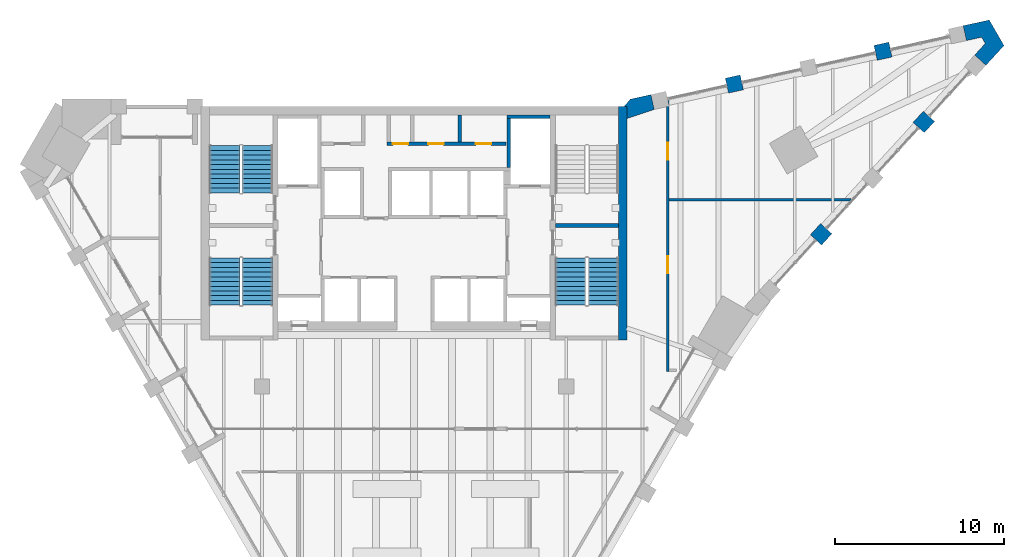
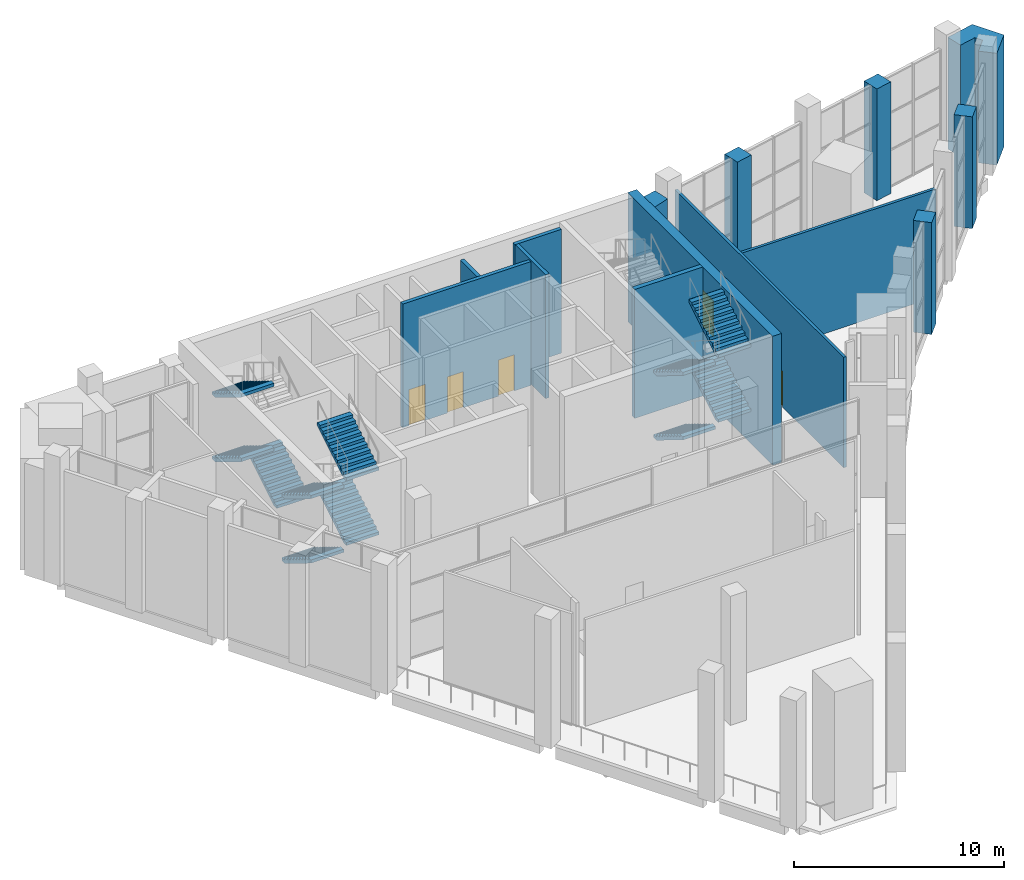
# One storey, part 11 of 14: 14 walls, 11 stair flights, 5 doors, 5 openings, 3 elements without a shape of their own.
"""IFC4 building model written with IfcOpenShell, lengths in metres."""

from ifc_helpers import new_model, si_unit, direction, frame, frame_2d, origin, place, context, subcontext, project, spatial, polyline, rectangle, outline, extrude, faceted_brep, source, transform, mapped, material, layer, layer_set, type_object, element, fill, aggregate, save


model = new_model("IFC4")

# Units and contexts
model_context = context("Model", 3, precision=1e-05, world=origin(), true_north=direction((0.0, 1.0)))
body_context = subcontext(model_context, "Body", "Model", "MODEL_VIEW")
ifc_project = project(units=[si_unit("LENGTHUNIT", "METRE"), si_unit("AREAUNIT", "SQUARE_METRE"), si_unit("VOLUMEUNIT", "CUBIC_METRE"), si_unit("PLANEANGLEUNIT", "RADIAN"), si_unit("MASSUNIT", "GRAM", prefix="KILO")], contexts=[model_context])

# Site, building, storey
site_placement = place(None, origin())
site = spatial("IfcSite", under=ifc_project, at=site_placement, CompositionType="ELEMENT")
building_placement = place(site_placement, origin())
building = spatial("IfcBuilding", under=site, at=building_placement, Name="Calabash Gate Tower", CompositionType="ELEMENT")
storey_placement = place(building_placement, frame((0.0, 0.0, 295.0)))
storey = spatial("IfcBuildingStorey", under=building, at=storey_placement, Name="L71", CompositionType="ELEMENT", Elevation=295.0)

# Walls
ifc_material_1 = material(Name="Terracotta brick masonry, exposed face", Category="masonry")
ifc_layer_1 = layer(ifc_material_1, 0.89990234375)
ifc_layer_set_1 = layer_set([ifc_layer_1], Name="Brick end wall 900")
wall_type_1 = type_object("IfcWallType", Name="Brick end wall 900", PredefinedType="SOLIDWALL", material=ifc_layer_set_1)
wall_1_placement = place(storey_placement, frame((23.763671875, 11.17333984375, 0.0), z_axis=(0.0, 0.0, 1.0), x_axis=(0.674802966049, 0.737997938352, 0.0)))
element("IfcWall", 1, at=wall_1_placement, inside=storey, type_object=wall_type_1, Name="Brick pier L71 wedge3.1", PredefinedType="SOLIDWALL", context=body_context, shape_type="SweptSolid", body=[
    extrude(rectangle(XDim=0.900146484375, YDim=0.89990234375, at=frame_2d((0.4501953125, 0.0))), origin(), (0.0, 0.0, 1.0), 6.5),
])
wall_2_placement = place(storey_placement, frame((30.44482421875, 18.47900390625, 0.0), z_axis=(0.0, 0.0, 1.0), x_axis=(-0.674938051731, -0.737874397391, 0.0)))
element("IfcWall", 2, at=wall_2_placement, inside=storey, type_object=wall_type_1, Name="Brick pier L71 wedge3.3", PredefinedType="SOLIDWALL", context=body_context, shape_type="SweptSolid", body=[
    extrude(rectangle(XDim=0.89990234375, YDim=0.89990234375, at=frame_2d((0.449951171875, 0.0))), origin(), (0.0, 0.0, 1.0), 6.5),
])
for number, where, z_axis, x_axis, name in (
    (3, (28.16650390625, 22.42529296875, 0.0), (0.0, 0.0, 1.0), (-0.976473402733, -0.215637876437, 0.0), "Brick pier L71 wedge5.1"),
    (4, (18.4990234375, 20.2919921875, 0.0), (0.0, 0.0, 1.0), (0.976473402733, 0.215637876437, 0.0), "Brick pier L71 wedge5.3"),
):
    element("IfcWall", number, at=place(storey_placement, frame(where, z_axis=z_axis, x_axis=x_axis)), inside=storey, type_object=wall_type_1, Name=name, PredefinedType="SOLIDWALL", context=body_context, shape_type="SweptSolid", body=[
        extrude(rectangle(XDim=0.900146484375, YDim=0.89990234375, at=frame_2d((0.4501953125, 0.0))), origin(), (0.0, 0.0, 1.0), 6.5),
    ])
wall_3_placement = place(storey_placement, origin())
element("IfcWall", 5, at=wall_3_placement, inside=storey, type_object=wall_type_1, Name="Brick end wall L71 2", PredefinedType="SOLIDWALL", context=body_context, shape_type="SweptSolid", body=[
    extrude(outline(polyline([(33.813720703125, 21.496337890625), (34.881591796875, 22.663818359375), (34.0087890625, 24.175048828125), (32.4638671875, 23.834228515625), (32.65771484375, 22.955322265625), (33.55908203125, 23.154296875), (33.7724609375, 22.78466796875), (33.149658203125, 22.103759765625), (33.813720703125, 21.496337890625)])), origin(), (0.0, 0.0, 1.0), 6.5),
])
wall_4_placement = place(storey_placement, origin())
element("IfcWall", 6, at=wall_4_placement, inside=storey, type_object=wall_type_1, Name="Brick end wall L71 3", PredefinedType="SOLIDWALL", context=body_context, shape_type="SweptSolid", body=[
    extrude(outline(polyline([(14.201416015625, 18.883056640625), (14.0078125, 19.761962890625), (12.784423828125, 19.491943359375), (12.410400390625, 19.052490234375), (12.60009765625, 19.052490234375), (12.60009765625, 18.351806640625), (14.201416015625, 18.883056640625)])), origin(), (0.0, 0.0, 1.0), 6.5),
])
ifc_material_2 = material(Name="Gypsum board on steel studs, mineral wool", Category="steel")
ifc_layer_2 = layer(ifc_material_2, 0.199951171875)
ifc_layer_set_2 = layer_set([ifc_layer_2], Name="Core partition 200 gypsum board")
wall_type_2 = type_object("IfcWallType", Name="Core partition 200 gypsum board", PredefinedType="PARTITIONING", material=ifc_layer_set_2)
wall_5_placement = place(storey_placement, frame((2.699951171875, 16.95263671875, 0.0), z_axis=(0.0, 0.0, 1.0), x_axis=(0.0, 1.0, 0.0)))
element("IfcWall", 7, at=wall_5_placement, inside=storey, type_object=wall_type_2, Name="Core partition", PredefinedType="PARTITIONING", context=body_context, shape_type="SweptSolid", body=[
    extrude(rectangle(XDim=1.599853515625, YDim=0.199951171875, at=frame_2d((0.7998046875, 0.0))), origin(), (0.0, 0.0, 1.0), 7.199951171875),
])
ifc_material_3 = material(Name="Concrete C60/75", Category="concrete")
ifc_layer_3 = layer(ifc_material_3, 0.25)
ifc_layer_set_3 = layer_set([ifc_layer_3], Name="Core wall 250 Concrete C60/75")
wall_type_3 = type_object("IfcWallType", Name="Core wall 250 Concrete C60/75", PredefinedType="SHEAR", material=ifc_layer_set_3)
wall_6_placement = place(storey_placement, frame((8.35009765625, 12.027587890625, 0.0), z_axis=(0.0, 0.0, 1.0), x_axis=(1.0, 0.0, 0.0)))
element("IfcWall", 8, at=wall_6_placement, inside=storey, type_object=wall_type_3, Name="Core wall Z5-MIDE L71", PredefinedType="SHEAR", context=body_context, shape_type="SweptSolid", body=[
    extrude(rectangle(XDim=3.75, YDim=0.25, at=frame_2d((1.875, 0.0))), origin(), (0.0, 0.0, 1.0), 7.5),
])
ifc_material_4 = material(Name="Concrete C60/75", Category="concrete")
ifc_layer_4 = layer(ifc_material_4, 0.5)
ifc_layer_set_4 = layer_set([ifc_layer_4], Name="Core wall 500 Concrete C60/75")
wall_type_4 = type_object("IfcWallType", Name="Core wall 500 Concrete C60/75", PredefinedType="SHEAR", material=ifc_layer_set_4)
wall_7_placement = place(storey_placement, frame((12.35009765625, 5.252685546875, 0.0), z_axis=(0.0, 0.0, 1.0), x_axis=(0.0, 1.0, 0.0)))
element("IfcWall", 9, at=wall_7_placement, inside=storey, type_object=wall_type_4, Name="Core wall Z5-COLE L71", PredefinedType="SHEAR", context=body_context, shape_type="SweptSolid", body=[
    extrude(rectangle(XDim=13.7998046875, YDim=0.5, at=frame_2d((6.89990234375, 0.0))), origin(), (0.0, 0.0, 1.0), 7.5),
])

# Wall, openings, doors
ifc_material_5 = material(Name="Gypsum board on steel studs, mineral wool", Category="steel")
ifc_layer_5 = layer(ifc_material_5, 0.14990234375)
ifc_layer_set_5 = layer_set([ifc_layer_5], Name="Partition 150 gypsum board")
wall_type_5 = type_object("IfcWallType", Name="Partition 150 gypsum board", PredefinedType="PARTITIONING", material=ifc_layer_set_5)
wall_8_placement = place(storey_placement, frame((15.0, 3.377685546875, 0.0), z_axis=(0.0, 0.0, 1.0), x_axis=(0.0, 1.0, 0.0)))
wall_8 = element("IfcWall", 10, at=wall_8_placement, inside=storey, type_object=wall_type_5, Name="Partition", PredefinedType="PARTITIONING", context=body_context, shape_type="SweptSolid", body=[
    extrude(rectangle(XDim=16.084228515625, YDim=0.14990234375, at=frame_2d((8.0419921875, 0.0))), origin(), (0.0, 0.0, 1.0), 6.420166015625),
])
opening_1_placement = place(wall_8_placement, frame((12.54248046875, 0.0, 0.0)))
opening_1 = element("IfcOpeningElement", 11, at=opening_1_placement, cuts=wall_8, Name="Opening L71-018", PredefinedType="OPENING", context=body_context, shape_type="SweptSolid", body=[
    extrude(rectangle(XDim=1.0, YDim=2.10009765625, at=frame_2d((0.5, 1.050048828125))), frame((0.0, 0.0849609375, 0.0), z_axis=(0.0, -1.0, 0.0), x_axis=(1.0, 0.0, 0.0)), (0.0, 0.0, 1.0), 0.169921875),
])
opening_2_placement = place(wall_8_placement, frame((5.8310546875, 0.0, 0.0)))
opening_2 = element("IfcOpeningElement", 12, at=opening_2_placement, cuts=wall_8, Name="Opening L71-019", PredefinedType="OPENING", context=body_context, shape_type="SweptSolid", body=[
    extrude(rectangle(XDim=1.0, YDim=2.10009765625, at=frame_2d((0.5, 1.050048828125))), frame((0.0, 0.0849609375, 0.0), z_axis=(0.0, -1.0, 0.0), x_axis=(1.0, 0.0, 0.0)), (0.0, 0.0, 1.0), 0.169921875),
])
ifc_material_6 = material(Name="Steel fire door set with fire-resisting glazing", Category="steel")
door_type_1 = type_object("IfcDoorType", Name="Fire door D11 1000x2100 FD60", OperationType="NOTDEFINED", PredefinedType="DOOR", material=ifc_material_6)
door_1_placement = place(opening_1_placement, origin())
door_1 = element("IfcDoor", 13, at=door_1_placement, inside=storey, type_object=door_type_1, Name="Restaurant door", OperationType="SINGLE_SWING_LEFT", OverallHeight=2.10009765625, OverallWidth=1.0, PredefinedType="DOOR", context=body_context, shape_type="SweptSolid", body=[
    extrude(rectangle(XDim=1.0, YDim=2.10009765625, at=frame_2d((0.5, 1.050048828125))), frame((0.0, 0.02490234375, 0.0), z_axis=(0.0, -1.0, 0.0), x_axis=(1.0, 0.0, 0.0)), (0.0, 0.0, 1.0), 0.050048828125),
])
fill(opening_1, door_1)
door_2_placement = place(opening_2_placement, origin())
door_2 = element("IfcDoor", 14, at=door_2_placement, inside=storey, type_object=door_type_1, Name="Kitchen door", OperationType="SINGLE_SWING_RIGHT", OverallHeight=2.10009765625, OverallWidth=1.0, PredefinedType="DOOR", context=body_context, shape_type="SweptSolid", body=[
    extrude(rectangle(XDim=1.0, YDim=2.10009765625, at=frame_2d((0.5, 1.050048828125))), frame((0.0, 0.02490234375, 0.0), z_axis=(0.0, -1.0, 0.0), x_axis=(1.0, 0.0, 0.0)), (0.0, 0.0, 1.0), 0.050048828125),
])
fill(opening_2, door_2)

# Walls
wall_9_placement = place(storey_placement, frame((15.074951171875, 13.55859375, 0.0), z_axis=(0.0, 0.0, 1.0), x_axis=(1.0, 0.0, 0.0)))
element("IfcWall", 15, at=wall_9_placement, inside=storey, type_object=wall_type_5, Name="Partition", PredefinedType="PARTITIONING", context=body_context, shape_type="SweptSolid", body=[
    extrude(rectangle(XDim=10.75439453125, YDim=0.14990234375, at=frame_2d((5.377197265625, 0.0))), origin(), (0.0, 0.0, 1.0), 6.278076171875),
])
ifc_material_7 = material(Name="Concrete C40/50", Category="concrete")
ifc_layer_6 = layer(ifc_material_7, 0.199951171875)
ifc_layer_set_6 = layer_set([ifc_layer_6], Name="Shaft wall 200 Concrete C40/50")
wall_type_6 = type_object("IfcWallType", Name="Shaft wall 200 Concrete C40/50", PredefinedType="SOLIDWALL", material=ifc_layer_set_6)
wall_10_placement = place(storey_placement, frame((5.60009765625, 15.45263671875, 0.0), z_axis=(0.0, 0.0, 1.0), x_axis=(0.0, 1.0, 0.0)))
element("IfcWall", 16, at=wall_10_placement, inside=storey, type_object=wall_type_6, Name="Shaft wall", PredefinedType="SOLIDWALL", context=body_context, shape_type="SweptSolid", body=[
    extrude(rectangle(XDim=2.89990234375, YDim=0.199951171875, at=frame_2d((1.449951171875, 0.0))), origin(), (0.0, 0.0, 1.0), 7.199951171875),
])

# Wall, openings, doors
wall_11_placement = place(storey_placement, frame((-1.60009765625, 16.8525390625, 0.0), z_axis=(0.0, 0.0, 1.0), x_axis=(1.0, 0.0, 0.0)))
wall_11 = element("IfcWall", 17, at=wall_11_placement, inside=storey, type_object=wall_type_6, Name="Shaft wall", PredefinedType="SOLIDWALL", context=body_context, shape_type="SweptSolid", body=[
    extrude(rectangle(XDim=7.050048828125, YDim=0.199951171875, at=frame_2d((3.52490234375, 0.0))), origin(), (0.0, 0.0, 1.0), 7.199951171875),
])
opening_3_placement = place(wall_11_placement, frame((0.35009765625, 0.0, 0.0)))
opening_3 = element("IfcOpeningElement", 18, at=opening_3_placement, cuts=wall_11, Name="Opening L71-011", PredefinedType="OPENING", context=body_context, shape_type="SweptSolid", body=[
    extrude(rectangle(XDim=0.89990234375, YDim=2.10009765625, at=frame_2d((0.449951171875, 1.050048828125))), frame((0.0, 0.10986328125, 0.0), z_axis=(0.0, -1.0, 0.0), x_axis=(1.0, 0.0, 0.0)), (0.0, 0.0, 1.0), 0.219970703125),
])
opening_4_placement = place(wall_11_placement, frame((2.449951171875, 0.0, 0.0)))
opening_4 = element("IfcOpeningElement", 19, at=opening_4_placement, cuts=wall_11, Name="Opening L71-012", PredefinedType="OPENING", context=body_context, shape_type="SweptSolid", body=[
    extrude(rectangle(XDim=0.89990234375, YDim=2.10009765625, at=frame_2d((0.449951171875, 1.050048828125))), frame((0.0, 0.10986328125, 0.0), z_axis=(0.0, -1.0, 0.0), x_axis=(1.0, 0.0, 0.0)), (0.0, 0.0, 1.0), 0.219970703125),
])
opening_5_placement = place(wall_11_placement, frame((5.25, 0.0, 0.0)))
opening_5 = element("IfcOpeningElement", 20, at=opening_5_placement, cuts=wall_11, Name="Opening L71-013", PredefinedType="OPENING", context=body_context, shape_type="SweptSolid", body=[
    extrude(rectangle(XDim=0.89990234375, YDim=2.10009765625, at=frame_2d((0.449951171875, 1.050048828125))), frame((0.0, 0.10986328125, 0.0), z_axis=(0.0, -1.0, 0.0), x_axis=(1.0, 0.0, 0.0)), (0.0, 0.0, 1.0), 0.219970703125),
])
ifc_material_8 = material(Name="Steel fire door set with fire-resisting glazing", Category="steel")
door_type_2 = type_object("IfcDoorType", Name="Fire door D06 900x2100 FD60", OperationType="NOTDEFINED", PredefinedType="DOOR", material=ifc_material_8)
door_3_placement = place(opening_3_placement, origin())
door_3 = element("IfcDoor", 21, at=door_3_placement, inside=storey, type_object=door_type_2, Name="Cleaner's Store door", OperationType="SINGLE_SWING_LEFT", OverallHeight=2.10009765625, OverallWidth=0.89990234375, PredefinedType="DOOR", context=body_context, shape_type="SweptSolid", body=[
    extrude(rectangle(XDim=0.89990234375, YDim=2.10009765625, at=frame_2d((0.449951171875, 1.050048828125))), frame((0.0, 0.02490234375, 0.0), z_axis=(0.0, -1.0, 0.0), x_axis=(1.0, 0.0, 0.0)), (0.0, 0.0, 1.0), 0.050048828125),
])
fill(opening_3, door_3)
door_4_placement = place(opening_4_placement, origin())
door_4 = element("IfcDoor", 22, at=door_4_placement, inside=storey, type_object=door_type_2, Name="Comms Room door", OperationType="SINGLE_SWING_LEFT", OverallHeight=2.10009765625, OverallWidth=0.89990234375, PredefinedType="DOOR", context=body_context, shape_type="SweptSolid", body=[
    extrude(rectangle(XDim=0.89990234375, YDim=2.10009765625, at=frame_2d((0.449951171875, 1.050048828125))), frame((0.0, 0.02490234375, 0.0), z_axis=(0.0, -1.0, 0.0), x_axis=(1.0, 0.0, 0.0)), (0.0, 0.0, 1.0), 0.050048828125),
])
fill(opening_4, door_4)
door_5_placement = place(opening_5_placement, origin())
door_5 = element("IfcDoor", 23, at=door_5_placement, inside=storey, type_object=door_type_2, Name="Staff WC door", OperationType="SINGLE_SWING_RIGHT", OverallHeight=2.10009765625, OverallWidth=0.89990234375, PredefinedType="DOOR", context=body_context, shape_type="SweptSolid", body=[
    extrude(rectangle(XDim=0.89990234375, YDim=2.10009765625, at=frame_2d((0.449951171875, 1.050048828125))), frame((0.0, 0.02490234375, 0.0), z_axis=(0.0, -1.0, 0.0), x_axis=(1.0, 0.0, 0.0)), (0.0, 0.0, 1.0), 0.050048828125),
])
fill(opening_5, door_5)

# Wall
wall_12_placement = place(storey_placement, frame((5.5, 18.45263671875, 0.0), z_axis=(0.0, 0.0, 1.0), x_axis=(1.0, 0.0, 0.0)))
element("IfcWall", 24, at=wall_12_placement, inside=storey, type_object=wall_type_6, Name="Shaft wall", PredefinedType="SOLIDWALL", context=body_context, shape_type="SweptSolid", body=[
    extrude(rectangle(XDim=2.550048828125, YDim=0.199951171875, at=frame_2d((1.27490234375, 0.0))), origin(), (0.0, 0.0, 1.0), 7.199951171875),
])

# Stair, stair flights
ifc_material_9 = material(Name="Concrete C40/50", Category="concrete")
stair_type = type_object("IfcStairType", Name="Exit stair 44 risers of 170.5 mm", PredefinedType="HALF_TURN_STAIR", material=ifc_material_9)
stair_1_placement = place(storey_placement, origin())
stair_1 = element("IfcStair", 25, at=stair_1_placement, inside=storey, type_object=stair_type, Name="L71 Exit stair ST1", PredefinedType="HALF_TURN_STAIR")
ifc_material_10 = material(Name="Concrete C40/50", Category="concrete")
stair_flight_type = type_object("IfcStairFlightType", Name="Exit stair flight SFL", PredefinedType="STRAIGHT", material=ifc_material_10)
shared_shape = source(origin(), body_context, "Body", "Brep", [
    faceted_brep([(-0.0009765625, -0.89990234375, 0.0), (0.28759765625, -0.89990234375, 0.0), (2.791015625, -0.89990234375, 1.52880859375), (-0.0009765625, 0.89990234375, 0.0), (2.791015625, 0.89990234375, 1.52880859375), (0.28759765625, 0.89990234375, 0.0), (2.791015625, -0.89990234375, 1.716552734375), (2.7900390625, -0.89990234375, 1.716552734375), (2.7900390625, 0.89990234375, 1.716552734375), (2.791015625, 0.89990234375, 1.716552734375), (2.7900390625, -0.89990234375, 1.70458984375), (2.7900390625, 0.89990234375, 1.70458984375), (2.510986328125, -0.89990234375, 1.70458984375), (2.510986328125, 0.89990234375, 1.70458984375), (2.510986328125, -0.89990234375, 1.5341796875), (2.510986328125, 0.89990234375, 1.5341796875), (2.23193359375, -0.89990234375, 1.5341796875), (2.23193359375, 0.89990234375, 1.5341796875), (2.23193359375, -0.89990234375, 1.363525390625), (2.23193359375, 0.89990234375, 1.363525390625), (1.952880859375, -0.89990234375, 1.363525390625), (1.952880859375, -0.89990234375, 1.193115234375), (1.952880859375, 0.89990234375, 1.193115234375), (1.952880859375, 0.89990234375, 1.363525390625), (1.674072265625, -0.89990234375, 1.193115234375), (1.674072265625, -0.89990234375, 1.022705078125), (1.674072265625, 0.89990234375, 1.022705078125), (1.674072265625, 0.89990234375, 1.193115234375), (1.39501953125, -0.89990234375, 1.022705078125), (1.39501953125, -0.89990234375, 0.852294921875), (1.39501953125, 0.89990234375, 0.852294921875), (1.39501953125, 0.89990234375, 1.022705078125), (1.115966796875, -0.89990234375, 0.852294921875), (1.115966796875, -0.89990234375, 0.681884765625), (1.115966796875, 0.89990234375, 0.681884765625), (1.115966796875, 0.89990234375, 0.852294921875), (0.8369140625, -0.89990234375, 0.681884765625), (0.8369140625, -0.89990234375, 0.511474609375), (0.8369140625, 0.89990234375, 0.511474609375), (0.8369140625, 0.89990234375, 0.681884765625), (0.55810546875, -0.89990234375, 0.511474609375), (0.55810546875, -0.89990234375, 0.3408203125), (0.55810546875, 0.89990234375, 0.3408203125), (0.55810546875, 0.89990234375, 0.511474609375), (0.279052734375, -0.89990234375, 0.3408203125), (0.279052734375, -0.89990234375, 0.17041015625), (0.279052734375, 0.89990234375, 0.17041015625), (0.279052734375, 0.89990234375, 0.3408203125), (-0.0009765625, -0.89990234375, 0.17041015625), (-0.0009765625, 0.89990234375, 0.17041015625), (0.28759765625, -0.360107421875, 0.0), (2.791015625, -0.360107421875, 1.52880859375), (0.28759765625, 0.0, 0.0), (2.791015625, 0.0, 1.52880859375), (0.28759765625, 0.360107421875, 0.0), (2.791015625, 0.360107421875, 1.52880859375), (2.791015625, -0.360107421875, 1.716552734375), (2.791015625, 0.0, 1.716552734375), (2.791015625, 0.360107421875, 1.716552734375), (2.7900390625, -0.360107421875, 1.716552734375), (2.7900390625, 0.0, 1.716552734375), (2.7900390625, 0.360107421875, 1.716552734375), (2.7900390625, -0.360107421875, 1.70458984375), (2.7900390625, 0.0, 1.70458984375), (2.7900390625, 0.360107421875, 1.70458984375), (2.510986328125, -0.360107421875, 1.70458984375), (2.510986328125, 0.0, 1.70458984375), (2.510986328125, 0.360107421875, 1.70458984375), (2.510986328125, -0.360107421875, 1.5341796875), (2.510986328125, 0.0, 1.5341796875), (2.510986328125, 0.360107421875, 1.5341796875), (2.23193359375, -0.360107421875, 1.5341796875), (2.23193359375, 0.0, 1.5341796875), (2.23193359375, 0.360107421875, 1.5341796875), (2.23193359375, -0.360107421875, 1.363525390625), (2.23193359375, 0.0, 1.363525390625), (2.23193359375, 0.360107421875, 1.363525390625), (1.952880859375, -0.360107421875, 1.363525390625), (1.952880859375, 0.0, 1.363525390625), (1.952880859375, 0.360107421875, 1.363525390625), (1.952880859375, -0.360107421875, 1.193115234375), (1.952880859375, 0.0, 1.193115234375), (1.952880859375, 0.360107421875, 1.193115234375), (1.674072265625, -0.360107421875, 1.193115234375), (1.674072265625, 0.0, 1.193115234375), (1.674072265625, 0.360107421875, 1.193115234375), (1.674072265625, -0.360107421875, 1.022705078125), (1.674072265625, 0.0, 1.022705078125), (1.674072265625, 0.360107421875, 1.022705078125), (1.39501953125, -0.360107421875, 1.022705078125), (1.39501953125, 0.0, 1.022705078125), (1.39501953125, 0.360107421875, 1.022705078125), (1.39501953125, -0.360107421875, 0.852294921875), (1.39501953125, 0.0, 0.852294921875), (1.39501953125, 0.360107421875, 0.852294921875), (1.115966796875, -0.360107421875, 0.852294921875), (1.115966796875, 0.0, 0.852294921875), (1.115966796875, 0.360107421875, 0.852294921875), (1.115966796875, -0.360107421875, 0.681884765625), (1.115966796875, 0.0, 0.681884765625), (1.115966796875, 0.360107421875, 0.681884765625), (0.8369140625, -0.360107421875, 0.681884765625), (0.8369140625, 0.0, 0.681884765625), (0.8369140625, 0.360107421875, 0.681884765625), (0.8369140625, -0.360107421875, 0.511474609375), (0.8369140625, 0.0, 0.511474609375), (0.8369140625, 0.360107421875, 0.511474609375), (0.55810546875, -0.360107421875, 0.511474609375), (0.55810546875, 0.0, 0.511474609375), (0.55810546875, 0.360107421875, 0.511474609375), (0.55810546875, -0.360107421875, 0.3408203125), (0.55810546875, 0.0, 0.3408203125), (0.55810546875, 0.360107421875, 0.3408203125), (0.279052734375, -0.360107421875, 0.3408203125), (0.279052734375, 0.0, 0.3408203125), (0.279052734375, 0.360107421875, 0.3408203125), (0.279052734375, -0.360107421875, 0.17041015625), (0.279052734375, 0.0, 0.17041015625), (0.279052734375, 0.360107421875, 0.17041015625), (-0.0009765625, -0.360107421875, 0.17041015625), (-0.0009765625, 0.0, 0.17041015625), (-0.0009765625, 0.360107421875, 0.17041015625), (-0.0009765625, -0.360107421875, 0.0), (-0.0009765625, 0.0, 0.0), (-0.0009765625, 0.360107421875, 0.0)], [[[0, 1, 2]], [[3, 4, 5]], [[2, 6, 7]], [[4, 8, 9]], [[2, 7, 10]], [[4, 11, 8]], [[2, 10, 12]], [[4, 13, 11]], [[2, 12, 14]], [[4, 15, 13]], [[2, 14, 16]], [[4, 17, 15]], [[2, 16, 18]], [[4, 19, 17]], [[18, 20, 21]], [[19, 22, 23]], [[2, 18, 21]], [[4, 22, 19]], [[21, 24, 25]], [[22, 26, 27]], [[2, 21, 25]], [[4, 26, 22]], [[25, 28, 29]], [[26, 30, 31]], [[2, 25, 29]], [[4, 30, 26]], [[29, 32, 33]], [[30, 34, 35]], [[2, 29, 33]], [[4, 34, 30]], [[33, 36, 37]], [[34, 38, 39]], [[2, 33, 37]], [[4, 38, 34]], [[37, 40, 41]], [[38, 42, 43]], [[2, 37, 41]], [[4, 42, 38]], [[41, 44, 45]], [[42, 46, 47]], [[2, 41, 45]], [[4, 46, 42]], [[0, 2, 45]], [[3, 46, 4]], [[45, 48, 0]], [[46, 3, 49]], [[1, 50, 2]], [[50, 51, 2]], [[50, 52, 51]], [[52, 53, 51]], [[52, 54, 55]], [[52, 55, 53]], [[54, 5, 4]], [[54, 4, 55]], [[2, 51, 6]], [[51, 56, 6]], [[51, 53, 56]], [[53, 57, 56]], [[53, 55, 58]], [[53, 58, 57]], [[55, 4, 9]], [[55, 9, 58]], [[6, 56, 7]], [[56, 59, 7]], [[56, 57, 59]], [[57, 60, 59]], [[57, 58, 61]], [[57, 61, 60]], [[58, 9, 8]], [[58, 8, 61]], [[7, 59, 10]], [[59, 62, 10]], [[59, 60, 62]], [[60, 63, 62]], [[60, 61, 64]], [[60, 64, 63]], [[61, 8, 11]], [[61, 11, 64]], [[10, 62, 12]], [[62, 65, 12]], [[62, 63, 65]], [[63, 66, 65]], [[63, 64, 67]], [[63, 67, 66]], [[64, 11, 13]], [[64, 13, 67]], [[12, 65, 14]], [[65, 68, 14]], [[65, 66, 68]], [[66, 69, 68]], [[66, 67, 70]], [[66, 70, 69]], [[67, 13, 15]], [[67, 15, 70]], [[14, 68, 16]], [[68, 71, 16]], [[68, 69, 71]], [[69, 72, 71]], [[69, 70, 73]], [[69, 73, 72]], [[70, 15, 17]], [[70, 17, 73]], [[16, 71, 18]], [[71, 74, 18]], [[71, 72, 74]], [[72, 75, 74]], [[72, 73, 76]], [[72, 76, 75]], [[73, 17, 19]], [[73, 19, 76]], [[18, 74, 20]], [[74, 77, 20]], [[74, 75, 77]], [[75, 78, 77]], [[75, 76, 79]], [[75, 79, 78]], [[76, 19, 23]], [[76, 23, 79]], [[20, 77, 21]], [[77, 80, 21]], [[77, 78, 80]], [[78, 81, 80]], [[78, 79, 82]], [[78, 82, 81]], [[79, 23, 22]], [[79, 22, 82]], [[21, 80, 24]], [[80, 83, 24]], [[80, 81, 83]], [[81, 84, 83]], [[81, 82, 85]], [[81, 85, 84]], [[82, 22, 27]], [[82, 27, 85]], [[24, 83, 25]], [[83, 86, 25]], [[83, 84, 86]], [[84, 87, 86]], [[84, 85, 88]], [[84, 88, 87]], [[85, 27, 26]], [[85, 26, 88]], [[25, 86, 28]], [[86, 89, 28]], [[86, 87, 89]], [[87, 90, 89]], [[87, 88, 91]], [[87, 91, 90]], [[88, 26, 31]], [[88, 31, 91]], [[28, 89, 29]], [[89, 92, 29]], [[89, 90, 92]], [[90, 93, 92]], [[90, 91, 94]], [[90, 94, 93]], [[91, 31, 30]], [[91, 30, 94]], [[29, 92, 32]], [[92, 95, 32]], [[92, 93, 95]], [[93, 96, 95]], [[93, 94, 97]], [[93, 97, 96]], [[94, 30, 35]], [[94, 35, 97]], [[32, 95, 33]], [[95, 98, 33]], [[95, 96, 98]], [[96, 99, 98]], [[96, 97, 100]], [[96, 100, 99]], [[97, 35, 34]], [[97, 34, 100]], [[33, 98, 36]], [[98, 101, 36]], [[98, 99, 101]], [[99, 102, 101]], [[99, 100, 103]], [[99, 103, 102]], [[100, 34, 39]], [[100, 39, 103]], [[36, 101, 37]], [[101, 104, 37]], [[101, 102, 104]], [[102, 105, 104]], [[102, 103, 106]], [[102, 106, 105]], [[103, 39, 38]], [[103, 38, 106]], [[37, 104, 40]], [[104, 107, 40]], [[104, 105, 107]], [[105, 108, 107]], [[105, 106, 109]], [[105, 109, 108]], [[106, 38, 43]], [[106, 43, 109]], [[40, 107, 41]], [[107, 110, 41]], [[107, 108, 110]], [[108, 111, 110]], [[108, 109, 112]], [[108, 112, 111]], [[109, 43, 42]], [[109, 42, 112]], [[41, 110, 44]], [[110, 113, 44]], [[110, 111, 113]], [[111, 114, 113]], [[111, 112, 115]], [[111, 115, 114]], [[112, 42, 47]], [[112, 47, 115]], [[44, 113, 45]], [[113, 116, 45]], [[113, 114, 116]], [[114, 117, 116]], [[114, 115, 118]], [[114, 118, 117]], [[115, 47, 46]], [[115, 46, 118]], [[45, 116, 48]], [[116, 119, 48]], [[116, 117, 119]], [[117, 120, 119]], [[117, 118, 121]], [[117, 121, 120]], [[118, 46, 49]], [[118, 49, 121]], [[48, 119, 0]], [[119, 122, 0]], [[119, 120, 122]], [[120, 123, 122]], [[120, 121, 124]], [[120, 124, 123]], [[121, 49, 3]], [[121, 3, 124]], [[0, 122, 1]], [[122, 50, 1]], [[122, 123, 50]], [[123, 52, 50]], [[123, 124, 54]], [[123, 54, 52]], [[124, 3, 5]], [[124, 5, 54]]]),
])
stair_flight_1_placement = place(storey_placement, frame((-9.25, 13.95263671875, 0.0), z_axis=(0.0, 0.0, 1.0), x_axis=(0.0, 1.0, 0.0)))
stair_flight_1 = element("IfcStairFlight", 26, at=stair_flight_1_placement, type_object=stair_flight_type, Name="ST1 flight 1", NumberOfRisers=11, NumberOfTreads=10, PredefinedType="STRAIGHT", RiserHeight=0.170454545, TreadLength=0.279, context=body_context, shape_type="MappedRepresentation", body=[
    mapped(shared_shape, transform((0.0, 0.0, 0.0), scale=1.0)),
])
stair_flight_2_placement = place(storey_placement, frame((-11.199951171875, 16.74267578125, 1.875), z_axis=(0.0, 0.0, 1.0), x_axis=(0.0, -1.0, 0.0)))
stair_flight_2 = element("IfcStairFlight", 27, at=stair_flight_2_placement, type_object=stair_flight_type, Name="ST1 flight 2", NumberOfRisers=11, NumberOfTreads=10, PredefinedType="STRAIGHT", RiserHeight=0.170454545, TreadLength=0.279, context=body_context, shape_type="MappedRepresentation", body=[
    mapped(shared_shape, transform((0.0, 0.0, 0.0), scale=1.0)),
])
stair_flight_3_placement = place(storey_placement, frame((-11.199951171875, 16.74267578125, 5.625), z_axis=(0.0, 0.0, 1.0), x_axis=(0.0, -1.0, 0.0)))
stair_flight_3 = element("IfcStairFlight", 28, at=stair_flight_3_placement, type_object=stair_flight_type, Name="ST1 flight 4", NumberOfRisers=11, NumberOfTreads=10, PredefinedType="STRAIGHT", RiserHeight=0.170454545, TreadLength=0.279, context=body_context, shape_type="MappedRepresentation", body=[
    mapped(shared_shape, transform((0.0, 0.0, 0.0), scale=1.0)),
])
aggregate(stair_1, [stair_flight_1, stair_flight_2, stair_flight_3])

stair_2_placement = place(storey_placement, origin())
stair_2 = element("IfcStair", 29, at=stair_2_placement, inside=storey, type_object=stair_type, Name="L71 Exit stair ST2", PredefinedType="HALF_TURN_STAIR")
stair_flight_4_placement = place(storey_placement, frame((-11.199951171875, 10.1025390625, 0.0), z_axis=(0.0, 0.0, 1.0), x_axis=(0.0, -1.0, 0.0)))
stair_flight_4 = element("IfcStairFlight", 30, at=stair_flight_4_placement, type_object=stair_flight_type, Name="ST2 flight 1", NumberOfRisers=11, NumberOfTreads=10, PredefinedType="STRAIGHT", RiserHeight=0.170454545, TreadLength=0.279, context=body_context, shape_type="MappedRepresentation", body=[
    mapped(shared_shape, transform((0.0, 0.0, 0.0), scale=1.0)),
])
stair_flight_5_placement = place(storey_placement, frame((-9.25, 7.3125, 1.875), z_axis=(0.0, 0.0, 1.0), x_axis=(0.0, 1.0, 0.0)))
stair_flight_5 = element("IfcStairFlight", 31, at=stair_flight_5_placement, type_object=stair_flight_type, Name="ST2 flight 2", NumberOfRisers=11, NumberOfTreads=10, PredefinedType="STRAIGHT", RiserHeight=0.170454545, TreadLength=0.279, context=body_context, shape_type="MappedRepresentation", body=[
    mapped(shared_shape, transform((0.0, 0.0, 0.0), scale=1.0)),
])
stair_flight_6_placement = place(storey_placement, frame((-11.199951171875, 10.1025390625, 3.75), z_axis=(0.0, 0.0, 1.0), x_axis=(0.0, -1.0, 0.0)))
stair_flight_6 = element("IfcStairFlight", 32, at=stair_flight_6_placement, type_object=stair_flight_type, Name="ST2 flight 3", NumberOfRisers=11, NumberOfTreads=10, PredefinedType="STRAIGHT", RiserHeight=0.170454545, TreadLength=0.279, context=body_context, shape_type="MappedRepresentation", body=[
    mapped(shared_shape, transform((0.0, 0.0, 0.0), scale=1.0)),
])
stair_flight_7_placement = place(storey_placement, frame((-9.25, 7.3125, 5.625), z_axis=(0.0, 0.0, 1.0), x_axis=(0.0, 1.0, 0.0)))
stair_flight_7 = element("IfcStairFlight", 33, at=stair_flight_7_placement, type_object=stair_flight_type, Name="ST2 flight 4", NumberOfRisers=11, NumberOfTreads=10, PredefinedType="STRAIGHT", RiserHeight=0.170454545, TreadLength=0.279, context=body_context, shape_type="MappedRepresentation", body=[
    mapped(shared_shape, transform((0.0, 0.0, 0.0), scale=1.0)),
])
aggregate(stair_2, [stair_flight_4, stair_flight_5, stair_flight_6, stair_flight_7])

stair_3_placement = place(storey_placement, origin())
stair_3 = element("IfcStair", 34, at=stair_3_placement, inside=storey, type_object=stair_type, Name="L71 Exit stair ST4", PredefinedType="HALF_TURN_STAIR")
stair_flight_8_placement = place(storey_placement, frame((9.25, 10.1025390625, 0.0), z_axis=(0.0, 0.0, 1.0), x_axis=(0.0, -1.0, 0.0)))
stair_flight_8 = element("IfcStairFlight", 35, at=stair_flight_8_placement, type_object=stair_flight_type, Name="ST4 flight 1", NumberOfRisers=11, NumberOfTreads=10, PredefinedType="STRAIGHT", RiserHeight=0.170454545, TreadLength=0.279, context=body_context, shape_type="MappedRepresentation", body=[
    mapped(shared_shape, transform((0.0, 0.0, 0.0), scale=1.0)),
])
stair_flight_9_placement = place(storey_placement, frame((11.199951171875, 7.3125, 1.875), z_axis=(0.0, 0.0, 1.0), x_axis=(0.0, 1.0, 0.0)))
stair_flight_9 = element("IfcStairFlight", 36, at=stair_flight_9_placement, type_object=stair_flight_type, Name="ST4 flight 2", NumberOfRisers=11, NumberOfTreads=10, PredefinedType="STRAIGHT", RiserHeight=0.170454545, TreadLength=0.279, context=body_context, shape_type="MappedRepresentation", body=[
    mapped(shared_shape, transform((0.0, 0.0, 0.0), scale=1.0)),
])
stair_flight_10_placement = place(storey_placement, frame((9.25, 10.1025390625, 3.75), z_axis=(0.0, 0.0, 1.0), x_axis=(0.0, -1.0, 0.0)))
stair_flight_10 = element("IfcStairFlight", 37, at=stair_flight_10_placement, type_object=stair_flight_type, Name="ST4 flight 3", NumberOfRisers=11, NumberOfTreads=10, PredefinedType="STRAIGHT", RiserHeight=0.170454545, TreadLength=0.279, context=body_context, shape_type="MappedRepresentation", body=[
    mapped(shared_shape, transform((0.0, 0.0, 0.0), scale=1.0)),
])
stair_flight_11_placement = place(storey_placement, frame((11.199951171875, 7.3125, 5.625), z_axis=(0.0, 0.0, 1.0), x_axis=(0.0, 1.0, 0.0)))
stair_flight_11 = element("IfcStairFlight", 38, at=stair_flight_11_placement, type_object=stair_flight_type, Name="ST4 flight 4", NumberOfRisers=11, NumberOfTreads=10, PredefinedType="STRAIGHT", RiserHeight=0.170454545, TreadLength=0.279, context=body_context, shape_type="MappedRepresentation", body=[
    mapped(shared_shape, transform((0.0, 0.0, 0.0), scale=1.0)),
])
aggregate(stair_3, [stair_flight_8, stair_flight_9, stair_flight_10, stair_flight_11])

save(model, "model.ifc")
